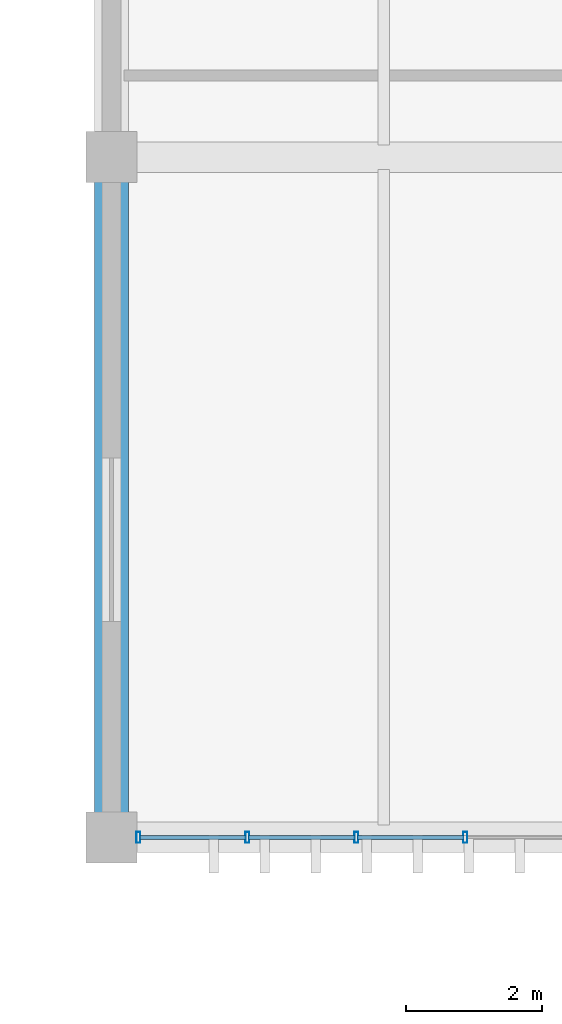
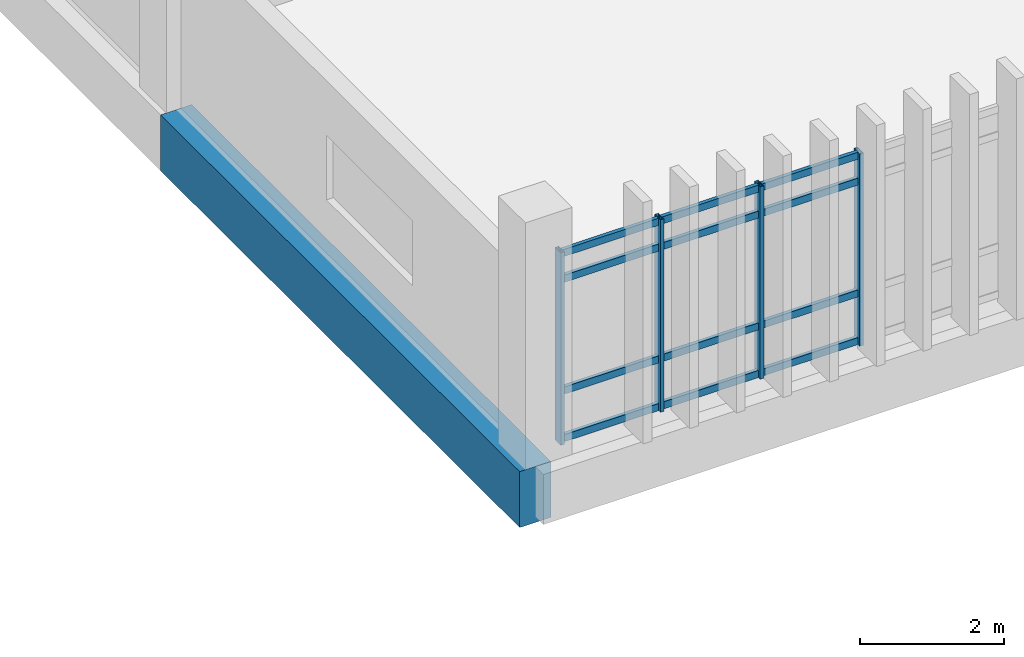
# One storey, part 66 of 161: 16 members, 1 beam, 1 element without a shape of its own.
"""IFC4 building model written with IfcOpenShell, lengths in metres."""

from ifc_helpers import new_model, si_unit, direction, frame, origin, origin_2d, place, context, subcontext, project, spatial, rectangle, hollow_rectangle, extrude, material, layer, layer_set, material_profile, profile_set, type_object, element, aggregate, save


model = new_model("IFC4")

# Units and contexts
model_context = context("Model", 3, precision=1e-05, world=origin(), true_north=direction((0.0, 1.0)))
body_context = subcontext(model_context, "Body", "Model", "MODEL_VIEW")
ifc_project = project(units=[si_unit("LENGTHUNIT", "METRE"), si_unit("AREAUNIT", "SQUARE_METRE"), si_unit("VOLUMEUNIT", "CUBIC_METRE"), si_unit("PLANEANGLEUNIT", "RADIAN"), si_unit("MASSUNIT", "GRAM", prefix="KILO")], contexts=[model_context])

# Site, building, storey
site_placement = place(None, origin())
site = spatial("IfcSite", under=ifc_project, at=site_placement, CompositionType="ELEMENT")
building_placement = place(site_placement, origin())
building = spatial("IfcBuilding", under=site, at=building_placement, Name="Mersad Railyard Sports Hall", CompositionType="ELEMENT")
storey_placement = place(building_placement, frame((0.0, 0.0, 4.800048828125)))
storey = spatial("IfcBuildingStorey", under=building, at=storey_placement, Name="L01", CompositionType="ELEMENT", Elevation=4.800048828125)

# Curtain wall, members
ifc_material_1 = material(Name="Aluminium 6063-T6", Category="aluminium")
ifc_layer = layer(ifc_material_1, 0.159912109375)
ifc_layer_set = layer_set([ifc_layer], Name="Aluminium 6063-T6")
curtain_wall_type = type_object("IfcCurtainWallType", Name="ARC-CW-CW37", PredefinedType="USERDEFINED", material=ifc_layer_set)
curtain_wall_placement = place(storey_placement, origin())
curtain_wall = element("IfcCurtainWall", 1, at=curtain_wall_placement, inside=storey, type_object=curtain_wall_type, Name="Curtain wall CW37-0104", ObjectType="CURTAIN WALL", PredefinedType="USERDEFINED")
ifc_material_profile_1 = material_profile(ifc_material_1, hollow_rectangle(XDim=0.06005859375, YDim=0.159912109375, WallThickness=0.00390625, at=origin_2d()), Name="AL MULLION 60x160x4")
ifc_profile_set_1 = profile_set([ifc_material_profile_1], Name="Aluminium 6063-T6")
member_type_1 = type_object("IfcMemberType", Name="ARC-CW-MUL01", PredefinedType="MULLION", material=ifc_profile_set_1)
member_1_placement = place(storey_placement, frame((48.19921875, 85.0, -0.02001953125), z_axis=(0.0, 0.0, 1.0), x_axis=(1.0, 0.0, 0.0)))
member_1 = element("IfcMember", 2, at=member_1_placement, type_object=member_type_1, Name="CW37 Mullion 5", PredefinedType="MULLION", context=body_context, shape_type="SweptSolid", body=[
    extrude(hollow_rectangle(XDim=0.06005859375, YDim=0.159912109375, WallThickness=0.00390625, at=origin_2d()), origin(), (0.0, 0.0, 1.0), 3.27001953125),
])
member_2_placement = place(storey_placement, frame((46.597900390625, 85.0, -0.02001953125), z_axis=(0.0, 0.0, 1.0), x_axis=(1.0, 0.0, 0.0)))
member_2 = element("IfcMember", 3, at=member_2_placement, type_object=member_type_1, Name="CW37 Mullion 6", PredefinedType="MULLION", context=body_context, shape_type="SweptSolid", body=[
    extrude(hollow_rectangle(XDim=0.06005859375, YDim=0.159912109375, WallThickness=0.00390625, at=origin_2d()), origin(), (0.0, 0.0, 1.0), 3.27001953125),
])
member_3_placement = place(storey_placement, frame((44.996337890625, 85.0, -0.02001953125), z_axis=(0.0, 0.0, 1.0), x_axis=(1.0, 0.0, 0.0)))
member_3 = element("IfcMember", 4, at=member_3_placement, type_object=member_type_1, Name="CW37 Mullion 7", PredefinedType="MULLION", context=body_context, shape_type="SweptSolid", body=[
    extrude(hollow_rectangle(XDim=0.06005859375, YDim=0.159912109375, WallThickness=0.00390625, at=origin_2d()), origin(), (0.0, 0.0, 1.0), 3.27001953125),
])
member_4_placement = place(storey_placement, frame((43.39501953125, 85.0, -0.02001953125), z_axis=(0.0, 0.0, 1.0), x_axis=(1.0, 0.0, 0.0)))
member_4 = element("IfcMember", 5, at=member_4_placement, type_object=member_type_1, Name="CW37 Mullion 8", PredefinedType="MULLION", context=body_context, shape_type="SweptSolid", body=[
    extrude(hollow_rectangle(XDim=0.06005859375, YDim=0.159912109375, WallThickness=0.00390625, at=origin_2d()), origin(), (0.0, 0.0, 1.0), 3.27001953125),
])
ifc_material_profile_2 = material_profile(ifc_material_1, hollow_rectangle(XDim=0.06005859375, YDim=0.1201171875, WallThickness=0.00390625, at=origin_2d()), Name="AL TRANSOM 60x120x4")
ifc_profile_set_2 = profile_set([ifc_material_profile_2], Name="Aluminium 6063-T6")
member_type_2 = type_object("IfcMemberType", Name="ARC-CW-TRN01", PredefinedType="USERDEFINED", material=ifc_profile_set_2)
member_5_placement = place(storey_placement, frame((48.17919921875, 85.0, 0.0400390625), z_axis=(-1.0, 0.0, 0.0), x_axis=(0.0, -1.0, 0.0)))
member_5 = element("IfcMember", 6, at=member_5_placement, type_object=member_type_2, Name="CW37 Transom 1-5", ObjectType="TRANSOM", PredefinedType="USERDEFINED", context=body_context, shape_type="SweptSolid", body=[
    extrude(hollow_rectangle(XDim=0.06005859375, YDim=0.1201171875, WallThickness=0.00390625, at=origin_2d()), origin(), (0.0, 0.0, 1.0), 1.561279296875),
])
member_6_placement = place(storey_placement, frame((46.577880859375, 85.0, 0.0400390625), z_axis=(-1.0, 0.0, 0.0), x_axis=(0.0, -1.0, 0.0)))
member_6 = element("IfcMember", 7, at=member_6_placement, type_object=member_type_2, Name="CW37 Transom 1-6", ObjectType="TRANSOM", PredefinedType="USERDEFINED", context=body_context, shape_type="SweptSolid", body=[
    extrude(hollow_rectangle(XDim=0.06005859375, YDim=0.1201171875, WallThickness=0.00390625, at=origin_2d()), origin(), (0.0, 0.0, 1.0), 1.5615234375),
])
member_7_placement = place(storey_placement, frame((44.976318359375, 85.0, 0.0400390625), z_axis=(-1.0, 0.0, 0.0), x_axis=(0.0, -1.0, 0.0)))
member_7 = element("IfcMember", 8, at=member_7_placement, type_object=member_type_2, Name="CW37 Transom 1-7", ObjectType="TRANSOM", PredefinedType="USERDEFINED", context=body_context, shape_type="SweptSolid", body=[
    extrude(hollow_rectangle(XDim=0.06005859375, YDim=0.1201171875, WallThickness=0.00390625, at=origin_2d()), origin(), (0.0, 0.0, 1.0), 1.561279296875),
])
member_8_placement = place(storey_placement, frame((48.17919921875, 85.0, 0.849853515625), z_axis=(-1.0, 0.0, 0.0), x_axis=(0.0, -1.0, 0.0)))
member_8 = element("IfcMember", 9, at=member_8_placement, type_object=member_type_2, Name="CW37 Transom 2-5", ObjectType="TRANSOM", PredefinedType="USERDEFINED", context=body_context, shape_type="SweptSolid", body=[
    extrude(hollow_rectangle(XDim=0.06005859375, YDim=0.1201171875, WallThickness=0.00390625, at=origin_2d()), origin(), (0.0, 0.0, 1.0), 1.561279296875),
])
member_9_placement = place(storey_placement, frame((46.577880859375, 85.0, 0.849853515625), z_axis=(-1.0, 0.0, 0.0), x_axis=(0.0, -1.0, 0.0)))
member_9 = element("IfcMember", 10, at=member_9_placement, type_object=member_type_2, Name="CW37 Transom 2-6", ObjectType="TRANSOM", PredefinedType="USERDEFINED", context=body_context, shape_type="SweptSolid", body=[
    extrude(hollow_rectangle(XDim=0.06005859375, YDim=0.1201171875, WallThickness=0.00390625, at=origin_2d()), origin(), (0.0, 0.0, 1.0), 1.5615234375),
])
member_10_placement = place(storey_placement, frame((44.976318359375, 85.0, 0.849853515625), z_axis=(-1.0, 0.0, 0.0), x_axis=(0.0, -1.0, 0.0)))
member_10 = element("IfcMember", 11, at=member_10_placement, type_object=member_type_2, Name="CW37 Transom 2-7", ObjectType="TRANSOM", PredefinedType="USERDEFINED", context=body_context, shape_type="SweptSolid", body=[
    extrude(hollow_rectangle(XDim=0.06005859375, YDim=0.1201171875, WallThickness=0.00390625, at=origin_2d()), origin(), (0.0, 0.0, 1.0), 1.561279296875),
])
member_11_placement = place(storey_placement, frame((48.17919921875, 85.0, 2.75), z_axis=(-1.0, 0.0, 0.0), x_axis=(0.0, -1.0, 0.0)))
member_11 = element("IfcMember", 12, at=member_11_placement, type_object=member_type_2, Name="CW37 Transom 3-5", ObjectType="TRANSOM", PredefinedType="USERDEFINED", context=body_context, shape_type="SweptSolid", body=[
    extrude(hollow_rectangle(XDim=0.06005859375, YDim=0.1201171875, WallThickness=0.00390625, at=origin_2d()), origin(), (0.0, 0.0, 1.0), 1.561279296875),
])
member_12_placement = place(storey_placement, frame((46.577880859375, 85.0, 2.75), z_axis=(-1.0, 0.0, 0.0), x_axis=(0.0, -1.0, 0.0)))
member_12 = element("IfcMember", 13, at=member_12_placement, type_object=member_type_2, Name="CW37 Transom 3-6", ObjectType="TRANSOM", PredefinedType="USERDEFINED", context=body_context, shape_type="SweptSolid", body=[
    extrude(hollow_rectangle(XDim=0.06005859375, YDim=0.1201171875, WallThickness=0.00390625, at=origin_2d()), origin(), (0.0, 0.0, 1.0), 1.5615234375),
])
member_13_placement = place(storey_placement, frame((44.976318359375, 85.0, 2.75), z_axis=(-1.0, 0.0, 0.0), x_axis=(0.0, -1.0, 0.0)))
member_13 = element("IfcMember", 14, at=member_13_placement, type_object=member_type_2, Name="CW37 Transom 3-7", ObjectType="TRANSOM", PredefinedType="USERDEFINED", context=body_context, shape_type="SweptSolid", body=[
    extrude(hollow_rectangle(XDim=0.06005859375, YDim=0.1201171875, WallThickness=0.00390625, at=origin_2d()), origin(), (0.0, 0.0, 1.0), 1.561279296875),
])
member_14_placement = place(storey_placement, frame((48.17919921875, 85.0, 3.18994140625), z_axis=(-1.0, 0.0, 0.0), x_axis=(0.0, -1.0, 0.0)))
member_14 = element("IfcMember", 15, at=member_14_placement, type_object=member_type_2, Name="CW37 Transom 4-5", ObjectType="TRANSOM", PredefinedType="USERDEFINED", context=body_context, shape_type="SweptSolid", body=[
    extrude(hollow_rectangle(XDim=0.06005859375, YDim=0.1201171875, WallThickness=0.00390625, at=origin_2d()), origin(), (0.0, 0.0, 1.0), 1.561279296875),
])
member_15_placement = place(storey_placement, frame((46.577880859375, 85.0, 3.18994140625), z_axis=(-1.0, 0.0, 0.0), x_axis=(0.0, -1.0, 0.0)))
member_15 = element("IfcMember", 16, at=member_15_placement, type_object=member_type_2, Name="CW37 Transom 4-6", ObjectType="TRANSOM", PredefinedType="USERDEFINED", context=body_context, shape_type="SweptSolid", body=[
    extrude(hollow_rectangle(XDim=0.06005859375, YDim=0.1201171875, WallThickness=0.00390625, at=origin_2d()), origin(), (0.0, 0.0, 1.0), 1.5615234375),
])
member_16_placement = place(storey_placement, frame((44.976318359375, 85.0, 3.18994140625), z_axis=(-1.0, 0.0, 0.0), x_axis=(0.0, -1.0, 0.0)))
member_16 = element("IfcMember", 17, at=member_16_placement, type_object=member_type_2, Name="CW37 Transom 4-7", ObjectType="TRANSOM", PredefinedType="USERDEFINED", context=body_context, shape_type="SweptSolid", body=[
    extrude(hollow_rectangle(XDim=0.06005859375, YDim=0.1201171875, WallThickness=0.00390625, at=origin_2d()), origin(), (0.0, 0.0, 1.0), 1.561279296875),
])
aggregate(curtain_wall, [member_1, member_2, member_3, member_4, member_5, member_6, member_7, member_8, member_9, member_10, member_11, member_12, member_13, member_14, member_15, member_16])

# Beam
ifc_material_2 = material(Name="Concrete C50/60", Category="concrete")
ifc_material_profile_3 = material_profile(ifc_material_2, rectangle(XDim=0.5, YDim=0.949951171875, at=origin_2d()), Name="RC 500x950")
ifc_profile_set_3 = profile_set([ifc_material_profile_3], Name="Concrete C50/60")
beam_type = type_object("IfcBeamType", Name="STR-BM-B03", PredefinedType="BEAM", material=ifc_profile_set_3)
beam_placement = place(storey_placement, frame((43.0, 85.0, -0.775146484375), z_axis=(0.0, 1.0, 0.0), x_axis=(-1.0, 0.0, 0.0)))
element("IfcBeam", 18, at=beam_placement, inside=storey, type_object=beam_type, Name="Beam B03-0956", PredefinedType="BEAM", context=body_context, shape_type="SweptSolid", body=[
    extrude(rectangle(XDim=0.5, YDim=0.949951171875, at=origin_2d()), origin(), (0.0, 0.0, 1.0), 10.0),
])

save(model, "model.ifc")
